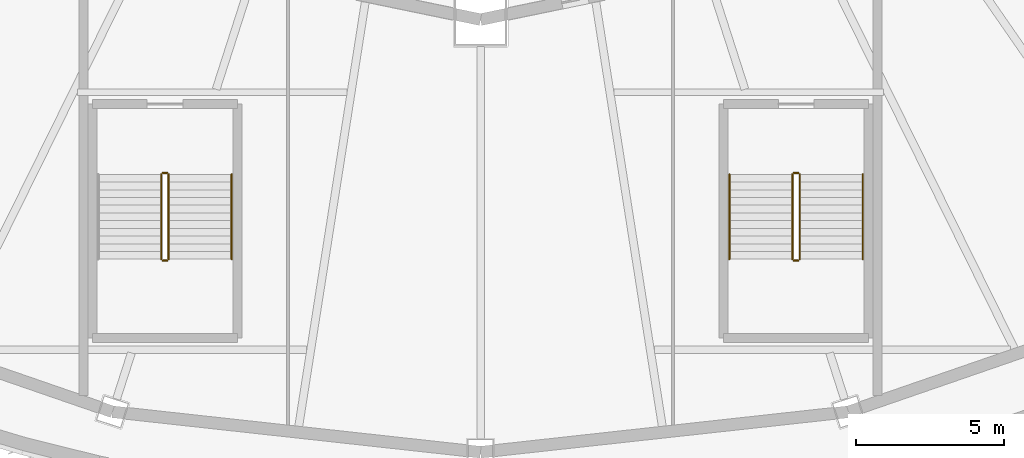
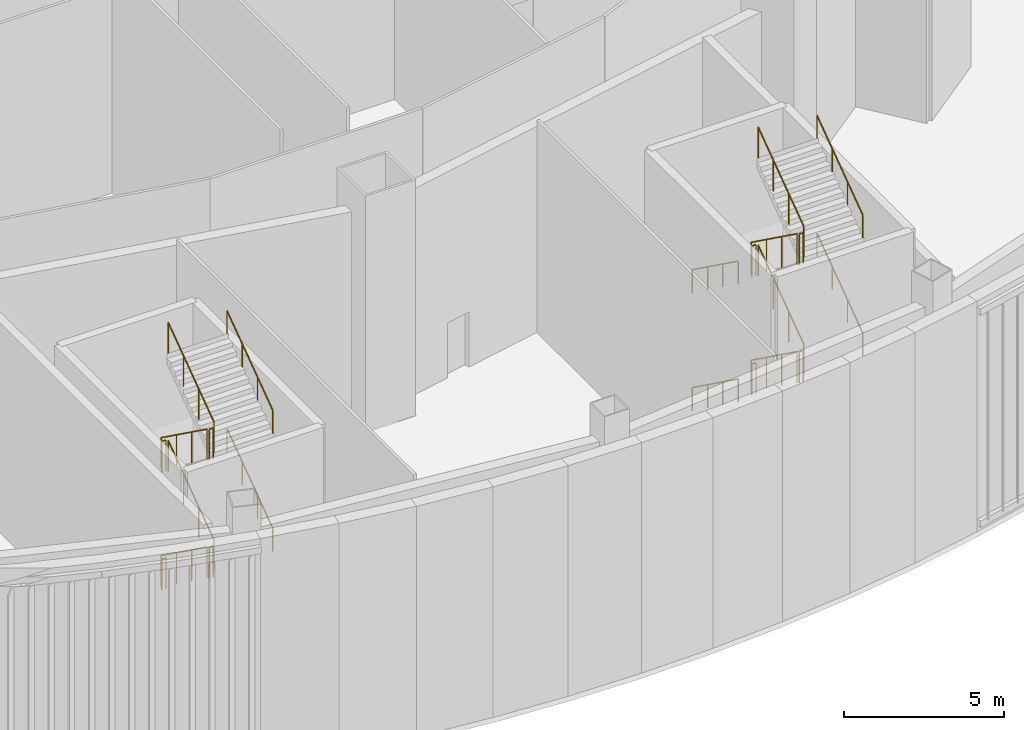
# One storey, part 28 of 35: 22 railings.
"""IFC4 building model written with IfcOpenShell, lengths in metres."""

from ifc_helpers import new_model, si_unit, direction, frame, origin, origin_2d, place, context, subcontext, project, spatial, circle, extrude, material, type_object, element, save


model = new_model("IFC4")

# Units and contexts
model_context = context("Model", 3, precision=1e-05, world=origin(), true_north=direction((0.0, 1.0)))
body_context = subcontext(model_context, "Body", "Model", "MODEL_VIEW")
ifc_project = project(units=[si_unit("LENGTHUNIT", "METRE"), si_unit("AREAUNIT", "SQUARE_METRE"), si_unit("VOLUMEUNIT", "CUBIC_METRE"), si_unit("PLANEANGLEUNIT", "RADIAN"), si_unit("MASSUNIT", "GRAM", prefix="KILO")], contexts=[model_context])

# Site, building, storey
site_placement = place(None, origin())
site = spatial("IfcSite", under=ifc_project, at=site_placement, CompositionType="ELEMENT")
building_placement = place(site_placement, origin())
building = spatial("IfcBuilding", under=site, at=building_placement, Name="Sahrelin Media Tower", CompositionType="ELEMENT")
storey_placement = place(building_placement, frame((0.0, 0.0, 8.0)))
storey = spatial("IfcBuildingStorey", under=building, at=storey_placement, Name="L01", CompositionType="ELEMENT", Elevation=8.0)

# Railings
ifc_material = material(Name="Steel S355", Category="steel")
railing_type_1 = type_object("IfcRailingType", Name="Stair guard 1200", PredefinedType="GUARDRAIL", material=ifc_material)
railing_1_placement = place(storey_placement, frame((-10.77490234375, -30.625, 0.1875)))
element("IfcRailing", 1, at=railing_1_placement, inside=storey, type_object=railing_type_1, Name="L01 PS3 stair guard 1", PredefinedType="GUARDRAIL", context=body_context, shape_type="SweptSolid", body=[
    extrude(circle(Radius=0.02392578125, at=origin_2d()), frame((0.0, 0.0, 1.17578125), z_axis=(0.0, -0.811100754333, 0.584906459462), x_axis=(1.0, 0.0, 0.0)), (0.0, 0.0, 1.0), 3.526123046875),
    extrude(circle(Radius=0.02099609375, at=origin_2d()), origin(), (0.0, 0.0, 1.0), 1.15185546875),
    extrude(circle(Radius=0.02099609375, at=origin_2d()), frame((0.0, -0.953369140625, 0.6875)), (0.0, 0.0, 1.0), 1.15185546875),
    extrude(circle(Radius=0.02099609375, at=origin_2d()), frame((0.0, -1.90673828125, 1.375)), (0.0, 0.0, 1.0), 1.15185546875),
    extrude(circle(Radius=0.02099609375, at=origin_2d()), frame((0.0, -2.860107421875, 2.0625)), (0.0, 0.0, 1.0), 1.15185546875),
])
railing_2_placement = place(storey_placement, frame((-10.72509765625, -33.534912109375, 2.25)))
element("IfcRailing", 2, at=railing_2_placement, inside=storey, type_object=railing_type_1, Name="L01 PS3 stair guard 2", PredefinedType="GUARDRAIL", context=body_context, shape_type="SweptSolid", body=[
    extrude(circle(Radius=0.02392578125, at=origin_2d()), frame((0.0, 0.0, 1.17578125), z_axis=(1.0, 0.0, 0.0), x_axis=(0.0, 1.0, 0.0)), (0.0, 0.0, 1.0), 0.150146484375),
    extrude(circle(Radius=0.02099609375, at=origin_2d()), origin(), (0.0, 0.0, 1.0), 1.15185546875),
    extrude(circle(Radius=0.02099609375, at=origin_2d()), frame((0.150146484375, 0.0, 0.0)), (0.0, 0.0, 1.0), 1.15185546875),
])
railing_3_placement = place(storey_placement, frame((-10.52490234375, -33.485107421875, 2.4375)))
element("IfcRailing", 3, at=railing_3_placement, inside=storey, type_object=railing_type_1, Name="L01 PS3 stair guard 3", PredefinedType="GUARDRAIL", context=body_context, shape_type="SweptSolid", body=[
    extrude(circle(Radius=0.02392578125, at=origin_2d()), frame((0.0, 0.0, 1.17578125), z_axis=(0.0, 0.811100754333, 0.584906459462), x_axis=(-1.0, 0.0, 0.0)), (0.0, 0.0, 1.0), 3.526123046875),
    extrude(circle(Radius=0.02099609375, at=origin_2d()), origin(), (0.0, 0.0, 1.0), 1.15185546875),
    extrude(circle(Radius=0.02099609375, at=origin_2d()), frame((0.0, 0.953369140625, 0.6875)), (0.0, 0.0, 1.0), 1.15185546875),
    extrude(circle(Radius=0.02099609375, at=origin_2d()), frame((0.0, 1.90673828125, 1.375)), (0.0, 0.0, 1.0), 1.15185546875),
    extrude(circle(Radius=0.02099609375, at=origin_2d()), frame((0.0, 2.860107421875, 2.0625)), (0.0, 0.0, 1.0), 1.15185546875),
])
railing_4_placement = place(storey_placement, frame((-10.72509765625, -30.574951171875, 4.5)))
element("IfcRailing", 4, at=railing_4_placement, inside=storey, type_object=railing_type_1, Name="L01 PS3 stair guard 4", PredefinedType="GUARDRAIL", context=body_context, shape_type="SweptSolid", body=[
    extrude(circle(Radius=0.02392578125, at=origin_2d()), frame((0.0, 0.0, 1.17578125), z_axis=(1.0, 0.0, 0.0), x_axis=(0.0, 1.0, 0.0)), (0.0, 0.0, 1.0), 0.150146484375),
    extrude(circle(Radius=0.02099609375, at=origin_2d()), origin(), (0.0, 0.0, 1.0), 1.15185546875),
    extrude(circle(Radius=0.02099609375, at=origin_2d()), frame((0.150146484375, 0.0, 0.0)), (0.0, 0.0, 1.0), 1.15185546875),
])
railing_5_placement = place(storey_placement, frame((-10.77490234375, -30.625, 4.6875)))
element("IfcRailing", 5, at=railing_5_placement, inside=storey, type_object=railing_type_1, Name="L01 PS3 stair guard 5", PredefinedType="GUARDRAIL", context=body_context, shape_type="SweptSolid", body=[
    extrude(circle(Radius=0.02392578125, at=origin_2d()), frame((0.0, 0.0, 1.17578125), z_axis=(0.0, -0.811100754333, 0.584906459462), x_axis=(1.0, 0.0, 0.0)), (0.0, 0.0, 1.0), 3.526123046875),
    extrude(circle(Radius=0.02099609375, at=origin_2d()), origin(), (0.0, 0.0, 1.0), 1.15185546875),
    extrude(circle(Radius=0.02099609375, at=origin_2d()), frame((0.0, -0.953369140625, 0.6875)), (0.0, 0.0, 1.0), 1.15185546875),
    extrude(circle(Radius=0.02099609375, at=origin_2d()), frame((0.0, -1.90673828125, 1.375)), (0.0, 0.0, 1.0), 1.15185546875),
    extrude(circle(Radius=0.02099609375, at=origin_2d()), frame((0.0, -2.860107421875, 2.0625)), (0.0, 0.0, 1.0), 1.15185546875),
])
railing_6_placement = place(storey_placement, frame((-10.72509765625, -33.534912109375, 6.75)))
element("IfcRailing", 6, at=railing_6_placement, inside=storey, type_object=railing_type_1, Name="L01 PS3 stair guard 6", PredefinedType="GUARDRAIL", context=body_context, shape_type="SweptSolid", body=[
    extrude(circle(Radius=0.02392578125, at=origin_2d()), frame((0.0, 0.0, 1.17578125), z_axis=(1.0, 0.0, 0.0), x_axis=(0.0, 1.0, 0.0)), (0.0, 0.0, 1.0), 0.150146484375),
    extrude(circle(Radius=0.02099609375, at=origin_2d()), origin(), (0.0, 0.0, 1.0), 1.15185546875),
    extrude(circle(Radius=0.02099609375, at=origin_2d()), frame((0.150146484375, 0.0, 0.0)), (0.0, 0.0, 1.0), 1.15185546875),
])
railing_7_placement = place(storey_placement, frame((-10.52490234375, -33.485107421875, 6.9375)))
element("IfcRailing", 7, at=railing_7_placement, inside=storey, type_object=railing_type_1, Name="L01 PS3 stair guard 7", PredefinedType="GUARDRAIL", context=body_context, shape_type="SweptSolid", body=[
    extrude(circle(Radius=0.02392578125, at=origin_2d()), frame((0.0, 0.0, 1.17578125), z_axis=(0.0, 0.811100754333, 0.584906459462), x_axis=(-1.0, 0.0, 0.0)), (0.0, 0.0, 1.0), 3.526123046875),
    extrude(circle(Radius=0.02099609375, at=origin_2d()), origin(), (0.0, 0.0, 1.0), 1.15185546875),
    extrude(circle(Radius=0.02099609375, at=origin_2d()), frame((0.0, 0.953369140625, 0.6875)), (0.0, 0.0, 1.0), 1.15185546875),
    extrude(circle(Radius=0.02099609375, at=origin_2d()), frame((0.0, 1.90673828125, 1.375)), (0.0, 0.0, 1.0), 1.15185546875),
    extrude(circle(Radius=0.02099609375, at=origin_2d()), frame((0.0, 2.860107421875, 2.0625)), (0.0, 0.0, 1.0), 1.15185546875),
])
railing_8_placement = place(storey_placement, frame((-10.72509765625, -30.574951171875, 0.0)))
element("IfcRailing", 8, at=railing_8_placement, inside=storey, type_object=railing_type_1, Name="L01 PS3 stair guard 8", PredefinedType="GUARDRAIL", context=body_context, shape_type="SweptSolid", body=[
    extrude(circle(Radius=0.02392578125, at=origin_2d()), frame((0.0, 0.0, 1.17578125), z_axis=(1.0, 0.0, 0.0), x_axis=(0.0, 1.0, 0.0)), (0.0, 0.0, 1.0), 0.150146484375),
    extrude(circle(Radius=0.02099609375, at=origin_2d()), origin(), (0.0, 0.0, 1.0), 1.15185546875),
    extrude(circle(Radius=0.02099609375, at=origin_2d()), frame((0.150146484375, 0.0, 0.0)), (0.0, 0.0, 1.0), 1.15185546875),
])
railing_9_placement = place(storey_placement, frame((10.52490234375, -30.625, 0.1875)))
element("IfcRailing", 9, at=railing_9_placement, inside=storey, type_object=railing_type_1, Name="L01 PS4 stair guard 1", PredefinedType="GUARDRAIL", context=body_context, shape_type="SweptSolid", body=[
    extrude(circle(Radius=0.02392578125, at=origin_2d()), frame((0.0, 0.0, 1.17578125), z_axis=(0.0, -0.811100754333, 0.584906459462), x_axis=(1.0, 0.0, 0.0)), (0.0, 0.0, 1.0), 3.526123046875),
    extrude(circle(Radius=0.02099609375, at=origin_2d()), origin(), (0.0, 0.0, 1.0), 1.15185546875),
    extrude(circle(Radius=0.02099609375, at=origin_2d()), frame((0.0, -0.953369140625, 0.6875)), (0.0, 0.0, 1.0), 1.15185546875),
    extrude(circle(Radius=0.02099609375, at=origin_2d()), frame((0.0, -1.90673828125, 1.375)), (0.0, 0.0, 1.0), 1.15185546875),
    extrude(circle(Radius=0.02099609375, at=origin_2d()), frame((0.0, -2.860107421875, 2.0625)), (0.0, 0.0, 1.0), 1.15185546875),
])
railing_10_placement = place(storey_placement, frame((10.574951171875, -33.534912109375, 2.25)))
element("IfcRailing", 10, at=railing_10_placement, inside=storey, type_object=railing_type_1, Name="L01 PS4 stair guard 2", PredefinedType="GUARDRAIL", context=body_context, shape_type="SweptSolid", body=[
    extrude(circle(Radius=0.02392578125, at=origin_2d()), frame((0.0, 0.0, 1.17578125), z_axis=(1.0, 0.0, 0.0), x_axis=(0.0, 1.0, 0.0)), (0.0, 0.0, 1.0), 0.150146484375),
    extrude(circle(Radius=0.02099609375, at=origin_2d()), origin(), (0.0, 0.0, 1.0), 1.15185546875),
    extrude(circle(Radius=0.02099609375, at=origin_2d()), frame((0.150146484375, 0.0, 0.0)), (0.0, 0.0, 1.0), 1.15185546875),
])
railing_11_placement = place(storey_placement, frame((10.77490234375, -33.485107421875, 2.4375)))
element("IfcRailing", 11, at=railing_11_placement, inside=storey, type_object=railing_type_1, Name="L01 PS4 stair guard 3", PredefinedType="GUARDRAIL", context=body_context, shape_type="SweptSolid", body=[
    extrude(circle(Radius=0.02392578125, at=origin_2d()), frame((0.0, 0.0, 1.17578125), z_axis=(0.0, 0.811100754333, 0.584906459462), x_axis=(-1.0, 0.0, 0.0)), (0.0, 0.0, 1.0), 3.526123046875),
    extrude(circle(Radius=0.02099609375, at=origin_2d()), origin(), (0.0, 0.0, 1.0), 1.15185546875),
    extrude(circle(Radius=0.02099609375, at=origin_2d()), frame((0.0, 0.953369140625, 0.6875)), (0.0, 0.0, 1.0), 1.15185546875),
    extrude(circle(Radius=0.02099609375, at=origin_2d()), frame((0.0, 1.90673828125, 1.375)), (0.0, 0.0, 1.0), 1.15185546875),
    extrude(circle(Radius=0.02099609375, at=origin_2d()), frame((0.0, 2.860107421875, 2.0625)), (0.0, 0.0, 1.0), 1.15185546875),
])
railing_12_placement = place(storey_placement, frame((10.574951171875, -30.574951171875, 4.5)))
element("IfcRailing", 12, at=railing_12_placement, inside=storey, type_object=railing_type_1, Name="L01 PS4 stair guard 4", PredefinedType="GUARDRAIL", context=body_context, shape_type="SweptSolid", body=[
    extrude(circle(Radius=0.02392578125, at=origin_2d()), frame((0.0, 0.0, 1.17578125), z_axis=(1.0, 0.0, 0.0), x_axis=(0.0, 1.0, 0.0)), (0.0, 0.0, 1.0), 0.150146484375),
    extrude(circle(Radius=0.02099609375, at=origin_2d()), origin(), (0.0, 0.0, 1.0), 1.15185546875),
    extrude(circle(Radius=0.02099609375, at=origin_2d()), frame((0.150146484375, 0.0, 0.0)), (0.0, 0.0, 1.0), 1.15185546875),
])
railing_13_placement = place(storey_placement, frame((10.52490234375, -30.625, 4.6875)))
element("IfcRailing", 13, at=railing_13_placement, inside=storey, type_object=railing_type_1, Name="L01 PS4 stair guard 5", PredefinedType="GUARDRAIL", context=body_context, shape_type="SweptSolid", body=[
    extrude(circle(Radius=0.02392578125, at=origin_2d()), frame((0.0, 0.0, 1.17578125), z_axis=(0.0, -0.811100754333, 0.584906459462), x_axis=(1.0, 0.0, 0.0)), (0.0, 0.0, 1.0), 3.526123046875),
    extrude(circle(Radius=0.02099609375, at=origin_2d()), origin(), (0.0, 0.0, 1.0), 1.15185546875),
    extrude(circle(Radius=0.02099609375, at=origin_2d()), frame((0.0, -0.953369140625, 0.6875)), (0.0, 0.0, 1.0), 1.15185546875),
    extrude(circle(Radius=0.02099609375, at=origin_2d()), frame((0.0, -1.90673828125, 1.375)), (0.0, 0.0, 1.0), 1.15185546875),
    extrude(circle(Radius=0.02099609375, at=origin_2d()), frame((0.0, -2.860107421875, 2.0625)), (0.0, 0.0, 1.0), 1.15185546875),
])
railing_14_placement = place(storey_placement, frame((10.574951171875, -33.534912109375, 6.75)))
element("IfcRailing", 14, at=railing_14_placement, inside=storey, type_object=railing_type_1, Name="L01 PS4 stair guard 6", PredefinedType="GUARDRAIL", context=body_context, shape_type="SweptSolid", body=[
    extrude(circle(Radius=0.02392578125, at=origin_2d()), frame((0.0, 0.0, 1.17578125), z_axis=(1.0, 0.0, 0.0), x_axis=(0.0, 1.0, 0.0)), (0.0, 0.0, 1.0), 0.150146484375),
    extrude(circle(Radius=0.02099609375, at=origin_2d()), origin(), (0.0, 0.0, 1.0), 1.15185546875),
    extrude(circle(Radius=0.02099609375, at=origin_2d()), frame((0.150146484375, 0.0, 0.0)), (0.0, 0.0, 1.0), 1.15185546875),
])
railing_15_placement = place(storey_placement, frame((10.77490234375, -33.485107421875, 6.9375)))
element("IfcRailing", 15, at=railing_15_placement, inside=storey, type_object=railing_type_1, Name="L01 PS4 stair guard 7", PredefinedType="GUARDRAIL", context=body_context, shape_type="SweptSolid", body=[
    extrude(circle(Radius=0.02392578125, at=origin_2d()), frame((0.0, 0.0, 1.17578125), z_axis=(0.0, 0.811100754333, 0.584906459462), x_axis=(-1.0, 0.0, 0.0)), (0.0, 0.0, 1.0), 3.526123046875),
    extrude(circle(Radius=0.02099609375, at=origin_2d()), origin(), (0.0, 0.0, 1.0), 1.15185546875),
    extrude(circle(Radius=0.02099609375, at=origin_2d()), frame((0.0, 0.953369140625, 0.6875)), (0.0, 0.0, 1.0), 1.15185546875),
    extrude(circle(Radius=0.02099609375, at=origin_2d()), frame((0.0, 1.90673828125, 1.375)), (0.0, 0.0, 1.0), 1.15185546875),
    extrude(circle(Radius=0.02099609375, at=origin_2d()), frame((0.0, 2.860107421875, 2.0625)), (0.0, 0.0, 1.0), 1.15185546875),
])
railing_16_placement = place(storey_placement, frame((10.574951171875, -30.574951171875, 0.0)))
element("IfcRailing", 16, at=railing_16_placement, inside=storey, type_object=railing_type_1, Name="L01 PS4 stair guard 8", PredefinedType="GUARDRAIL", context=body_context, shape_type="SweptSolid", body=[
    extrude(circle(Radius=0.02392578125, at=origin_2d()), frame((0.0, 0.0, 1.17578125), z_axis=(1.0, 0.0, 0.0), x_axis=(0.0, 1.0, 0.0)), (0.0, 0.0, 1.0), 0.150146484375),
    extrude(circle(Radius=0.02099609375, at=origin_2d()), origin(), (0.0, 0.0, 1.0), 1.15185546875),
    extrude(circle(Radius=0.02099609375, at=origin_2d()), frame((0.150146484375, 0.0, 0.0)), (0.0, 0.0, 1.0), 1.15185546875),
])
railing_type_2 = type_object("IfcRailingType", Name="Stair handrail 900", PredefinedType="HANDRAIL", material=ifc_material)
for number, where, name in (
    (17, (-8.39990234375, -33.485107421875, 2.4375), "L01 PS3 stair handrail 2"),
    (18, (-8.39990234375, -33.485107421875, 6.9375), "L01 PS3 stair handrail 4"),
):
    element("IfcRailing", number, at=place(storey_placement, frame(where)), inside=storey, type_object=railing_type_2, Name=name, PredefinedType="HANDRAIL", context=body_context, shape_type="SweptSolid", body=[
        extrude(circle(Radius=0.02392578125, at=origin_2d()), frame((0.0, 0.0, 0.8759765625), z_axis=(0.0, 0.811100754333, 0.584906459462), x_axis=(-1.0, 0.0, 0.0)), (0.0, 0.0, 1.0), 3.526123046875),
        extrude(circle(Radius=0.02099609375, at=origin_2d()), origin(), (0.0, 0.0, 1.0), 0.851806640625),
        extrude(circle(Radius=0.02099609375, at=origin_2d()), frame((0.0, 0.953369140625, 0.6875)), (0.0, 0.0, 1.0), 0.851806640625),
        extrude(circle(Radius=0.02099609375, at=origin_2d()), frame((0.0, 1.90673828125, 1.375)), (0.0, 0.0, 1.0), 0.851806640625),
        extrude(circle(Radius=0.02099609375, at=origin_2d()), frame((0.0, 2.860107421875, 2.0625)), (0.0, 0.0, 1.0), 0.851806640625),
    ])
railing_17_placement = place(storey_placement, frame((8.39990234375, -30.625, 0.1875)))
element("IfcRailing", 19, at=railing_17_placement, inside=storey, type_object=railing_type_2, Name="L01 PS4 stair handrail 1", PredefinedType="HANDRAIL", context=body_context, shape_type="SweptSolid", body=[
    extrude(circle(Radius=0.02392578125, at=origin_2d()), frame((0.0, 0.0, 0.8759765625), z_axis=(0.0, -0.811100754333, 0.584906459462), x_axis=(1.0, 0.0, 0.0)), (0.0, 0.0, 1.0), 3.526123046875),
    extrude(circle(Radius=0.02099609375, at=origin_2d()), origin(), (0.0, 0.0, 1.0), 0.851806640625),
    extrude(circle(Radius=0.02099609375, at=origin_2d()), frame((0.0, -0.953369140625, 0.6875)), (0.0, 0.0, 1.0), 0.851806640625),
    extrude(circle(Radius=0.02099609375, at=origin_2d()), frame((0.0, -1.90673828125, 1.375)), (0.0, 0.0, 1.0), 0.851806640625),
    extrude(circle(Radius=0.02099609375, at=origin_2d()), frame((0.0, -2.860107421875, 2.0625)), (0.0, 0.0, 1.0), 0.851806640625),
])
railing_18_placement = place(storey_placement, frame((12.89990234375, -33.485107421875, 2.4375)))
element("IfcRailing", 20, at=railing_18_placement, inside=storey, type_object=railing_type_2, Name="L01 PS4 stair handrail 2", PredefinedType="HANDRAIL", context=body_context, shape_type="SweptSolid", body=[
    extrude(circle(Radius=0.02392578125, at=origin_2d()), frame((0.0, 0.0, 0.8759765625), z_axis=(0.0, 0.811100754333, 0.584906459462), x_axis=(-1.0, 0.0, 0.0)), (0.0, 0.0, 1.0), 3.526123046875),
    extrude(circle(Radius=0.02099609375, at=origin_2d()), origin(), (0.0, 0.0, 1.0), 0.851806640625),
    extrude(circle(Radius=0.02099609375, at=origin_2d()), frame((0.0, 0.953369140625, 0.6875)), (0.0, 0.0, 1.0), 0.851806640625),
    extrude(circle(Radius=0.02099609375, at=origin_2d()), frame((0.0, 1.90673828125, 1.375)), (0.0, 0.0, 1.0), 0.851806640625),
    extrude(circle(Radius=0.02099609375, at=origin_2d()), frame((0.0, 2.860107421875, 2.0625)), (0.0, 0.0, 1.0), 0.851806640625),
])
railing_19_placement = place(storey_placement, frame((8.39990234375, -30.625, 4.6875)))
element("IfcRailing", 21, at=railing_19_placement, inside=storey, type_object=railing_type_2, Name="L01 PS4 stair handrail 3", PredefinedType="HANDRAIL", context=body_context, shape_type="SweptSolid", body=[
    extrude(circle(Radius=0.02392578125, at=origin_2d()), frame((0.0, 0.0, 0.8759765625), z_axis=(0.0, -0.811100754333, 0.584906459462), x_axis=(1.0, 0.0, 0.0)), (0.0, 0.0, 1.0), 3.526123046875),
    extrude(circle(Radius=0.02099609375, at=origin_2d()), origin(), (0.0, 0.0, 1.0), 0.851806640625),
    extrude(circle(Radius=0.02099609375, at=origin_2d()), frame((0.0, -0.953369140625, 0.6875)), (0.0, 0.0, 1.0), 0.851806640625),
    extrude(circle(Radius=0.02099609375, at=origin_2d()), frame((0.0, -1.90673828125, 1.375)), (0.0, 0.0, 1.0), 0.851806640625),
    extrude(circle(Radius=0.02099609375, at=origin_2d()), frame((0.0, -2.860107421875, 2.0625)), (0.0, 0.0, 1.0), 0.851806640625),
])
railing_20_placement = place(storey_placement, frame((12.89990234375, -33.485107421875, 6.9375)))
element("IfcRailing", 22, at=railing_20_placement, inside=storey, type_object=railing_type_2, Name="L01 PS4 stair handrail 4", PredefinedType="HANDRAIL", context=body_context, shape_type="SweptSolid", body=[
    extrude(circle(Radius=0.02392578125, at=origin_2d()), frame((0.0, 0.0, 0.8759765625), z_axis=(0.0, 0.811100754333, 0.584906459462), x_axis=(-1.0, 0.0, 0.0)), (0.0, 0.0, 1.0), 3.526123046875),
    extrude(circle(Radius=0.02099609375, at=origin_2d()), origin(), (0.0, 0.0, 1.0), 0.851806640625),
    extrude(circle(Radius=0.02099609375, at=origin_2d()), frame((0.0, 0.953369140625, 0.6875)), (0.0, 0.0, 1.0), 0.851806640625),
    extrude(circle(Radius=0.02099609375, at=origin_2d()), frame((0.0, 1.90673828125, 1.375)), (0.0, 0.0, 1.0), 0.851806640625),
    extrude(circle(Radius=0.02099609375, at=origin_2d()), frame((0.0, 2.860107421875, 2.0625)), (0.0, 0.0, 1.0), 0.851806640625),
])

save(model, "model.ifc")
